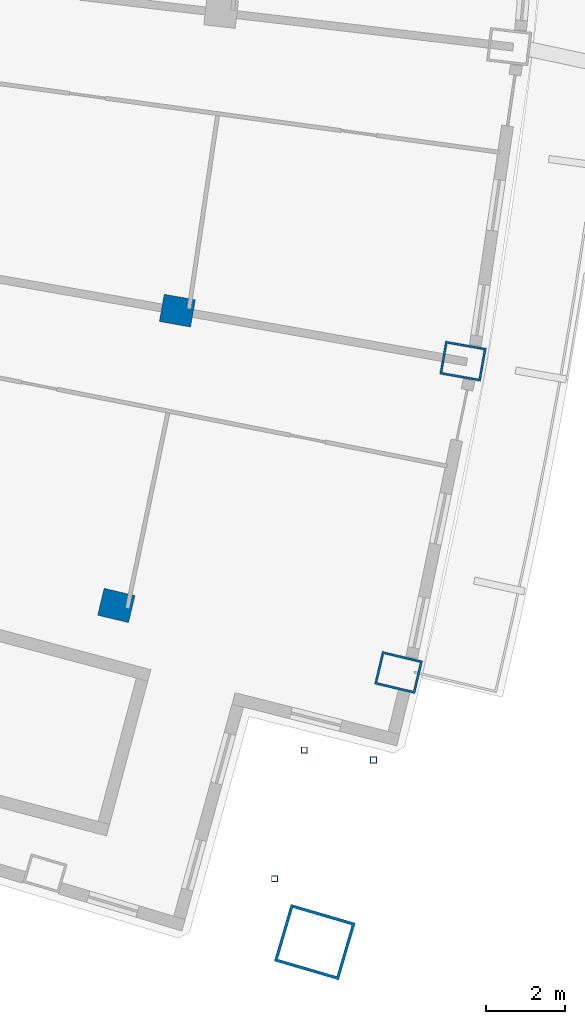
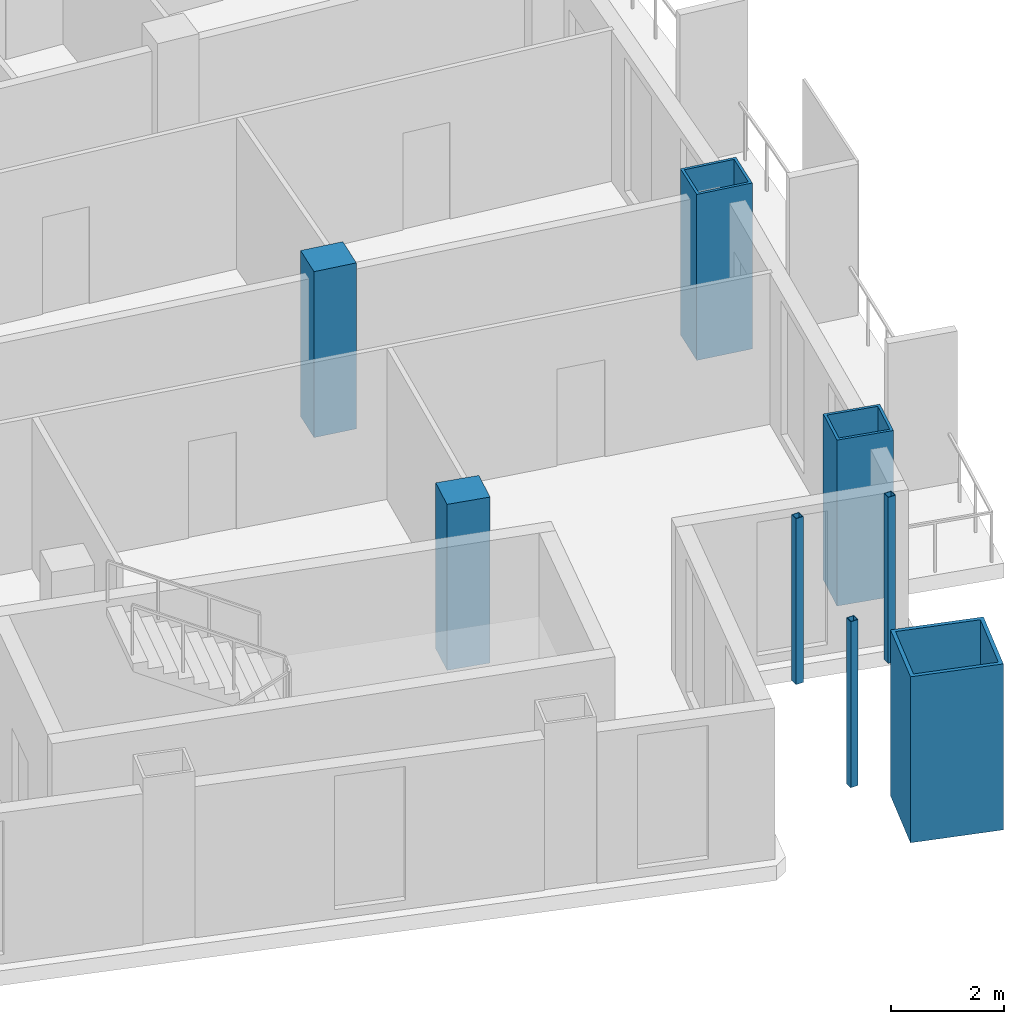
# One storey, part 3 of 17: 8 columns.
"""IFC4 building model written with IfcOpenShell, lengths in metres."""

from ifc_helpers import new_model, si_unit, direction, frame, origin, origin_2d, place, context, subcontext, project, spatial, rectangle, hollow_rectangle, extrude, material, material_profile, profile_set, type_object, element, save


model = new_model("IFC4")

# Units and contexts
model_context = context("Model", 3, precision=1e-05, world=origin(), true_north=direction((0.0, 1.0)))
body_context = subcontext(model_context, "Body", "Model", "MODEL_VIEW")
ifc_project = project(units=[si_unit("LENGTHUNIT", "METRE"), si_unit("AREAUNIT", "SQUARE_METRE"), si_unit("VOLUMEUNIT", "CUBIC_METRE"), si_unit("PLANEANGLEUNIT", "RADIAN"), si_unit("MASSUNIT", "GRAM", prefix="KILO")], contexts=[model_context])

# Site, building, storey
site_placement = place(None, origin())
site = spatial("IfcSite", under=ifc_project, at=site_placement, CompositionType="ELEMENT")
building_placement = place(site_placement, origin())
building = spatial("IfcBuilding", under=site, at=building_placement, Name="Alderwake Tower", CompositionType="ELEMENT")
storey_placement = place(building_placement, frame((0.0, 0.0, 214.39990234375)))
storey = spatial("IfcBuildingStorey", under=building, at=storey_placement, Name="L53", CompositionType="ELEMENT", Elevation=214.39990234375)

# Columns
ifc_material_1 = material(Name="Concrete C70/85", Category="concrete")
ifc_material_profile_1 = material_profile(ifc_material_1, rectangle(XDim=0.699951171875, YDim=0.800048828125, at=origin_2d()), Name="RC 800X700")
ifc_profile_set_1 = profile_set([ifc_material_profile_1], Name="Concrete C70/85")
column_type_1 = type_object("IfcColumnType", Name="Interior column Z4", PredefinedType="COLUMN", material=ifc_profile_set_1)
for number, where, z_axis, x_axis, name in (
    (1, (46.93115234375, 30.833251953125, 0.0), (0.0, 0.0, 1.0), (0.231221547198, 0.972901123502, 0.0), "Column R03-C4"),
    (2, (48.47412109375, 38.28466796875, 0.0), (0.0, 0.0, 1.0), (0.174108800747, 0.984726421654, 0.0), "Column R04-C4"),
):
    element("IfcColumn", number, at=place(storey_placement, frame(where, z_axis=z_axis, x_axis=x_axis)), inside=storey, type_object=column_type_1, Name=name, PredefinedType="COLUMN", context=body_context, shape_type="SweptSolid", body=[
        extrude(rectangle(XDim=0.699951171875, YDim=0.800048828125, at=origin_2d()), origin(), (0.0, 0.0, 1.0), 3.60009765625),
    ])
ifc_material_2 = material(Name="Steel ASTM A500 Grade C", Category="steel")
ifc_material_profile_2 = material_profile(ifc_material_2, hollow_rectangle(XDim=0.15234375, YDim=0.15234375, WallThickness=0.0087890625, at=origin_2d()), Name="HSS6X6X3/8")
ifc_profile_set_2 = profile_set([ifc_material_profile_2], Name="Steel ASTM A500 Grade C")
column_type_2 = type_object("IfcColumnType", Name="Light post HSS6X6X3/8", PredefinedType="COLUMN", material=ifc_profile_set_2)
for number, where, z_axis, x_axis, name in (
    (3, (53.4326171875, 26.925537109375, 0.0), (0.0, 0.0, 1.0), (1.0, 0.0, 0.0), "Terrace post FS1"),
    (4, (50.9326171875, 23.925537109375, 0.0), (0.0, 0.0, 1.0), (1.0, 0.0, 0.0), "Terrace post FS2"),
    (5, (51.6826171875, 27.175537109375, 0.0), (0.0, 0.0, 1.0), (1.0, 0.0, 0.0), "Terrace post FS3"),
):
    element("IfcColumn", number, at=place(storey_placement, frame(where, z_axis=z_axis, x_axis=x_axis)), inside=storey, type_object=column_type_2, Name=name, PredefinedType="COLUMN", context=body_context, shape_type="SweptSolid", body=[
        extrude(hollow_rectangle(XDim=0.15234375, YDim=0.15234375, WallThickness=0.0087890625, at=origin_2d()), origin(), (0.0, 0.0, 1.0), 3.60009765625),
    ])
ifc_material_3 = material(Name="Steel ASTM A572 Grade 50 concrete filled C70/85", Category="concrete")
ifc_material_profile_3 = material_profile(ifc_material_3, hollow_rectangle(XDim=1.5, YDim=1.699951171875, WallThickness=0.074951171875, at=origin_2d()), Name="BOX 1700X1500X75")
ifc_profile_set_3 = profile_set([ifc_material_profile_3], Name="Steel ASTM A572 Grade 50 concrete filled C70/85")
column_type_3 = type_object("IfcColumnType", Name="Mega column Z4", PredefinedType="COLUMN", material=ifc_profile_set_3)
column_placement = place(storey_placement, frame((51.9482421875, 22.322998046875, 0.0), z_axis=(0.0, 0.0, 1.0), x_axis=(0.281288140428, 0.959623354267, 0.0)))
element("IfcColumn", 6, at=column_placement, inside=storey, type_object=column_type_3, Name="Column R02-C5", PredefinedType="COLUMN", context=body_context, shape_type="SweptSolid", body=[
    extrude(hollow_rectangle(XDim=1.5, YDim=1.699951171875, WallThickness=0.074951171875, at=origin_2d()), origin(), (0.0, 0.0, 1.0), 3.60009765625),
])
ifc_material_4 = material(Name="Steel ASTM A572 Grade 50 concrete filled C70/85", Category="concrete")
ifc_material_profile_4 = material_profile(ifc_material_4, hollow_rectangle(XDim=0.85009765625, YDim=1.050048828125, WallThickness=0.054931640625, at=origin_2d()), Name="BOX 1050X850X55")
ifc_profile_set_4 = profile_set([ifc_material_profile_4], Name="Steel ASTM A572 Grade 50 concrete filled C70/85")
column_type_4 = type_object("IfcColumnType", Name="Perimeter column Z4", PredefinedType="COLUMN", material=ifc_profile_set_4)
for number, where, z_axis, x_axis, name in (
    (7, (54.06591796875, 29.1376953125, 0.0), (0.0, 0.0, 1.0), (0.231221547198, 0.972901123502, 0.0), "Column R03-C5"),
    (8, (55.6953125, 37.0078125, 0.0), (0.0, 0.0, 1.0), (0.174108800747, 0.984726421654, 0.0), "Column R04-C5"),
):
    element("IfcColumn", number, at=place(storey_placement, frame(where, z_axis=z_axis, x_axis=x_axis)), inside=storey, type_object=column_type_4, Name=name, PredefinedType="COLUMN", context=body_context, shape_type="SweptSolid", body=[
        extrude(hollow_rectangle(XDim=0.85009765625, YDim=1.050048828125, WallThickness=0.054931640625, at=origin_2d()), origin(), (0.0, 0.0, 1.0), 3.60009765625),
    ])

save(model, "model.ifc")
